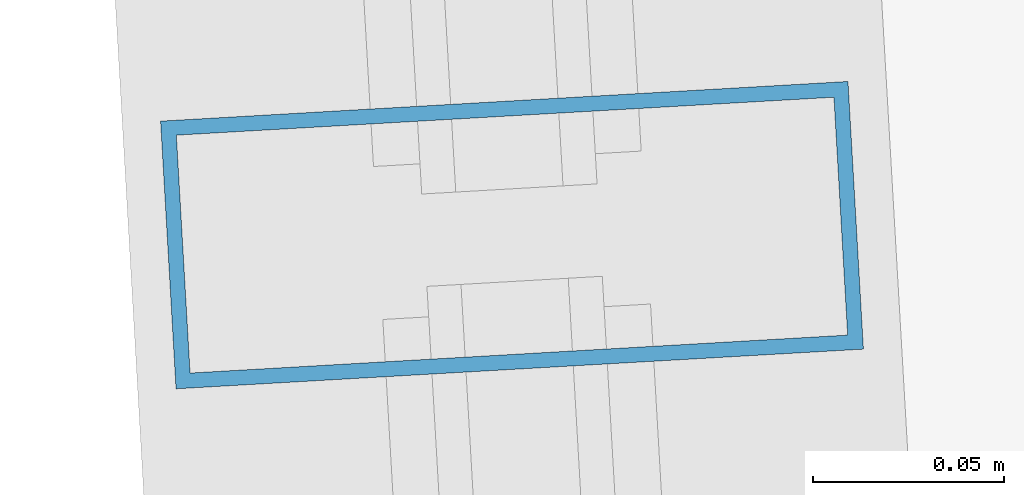
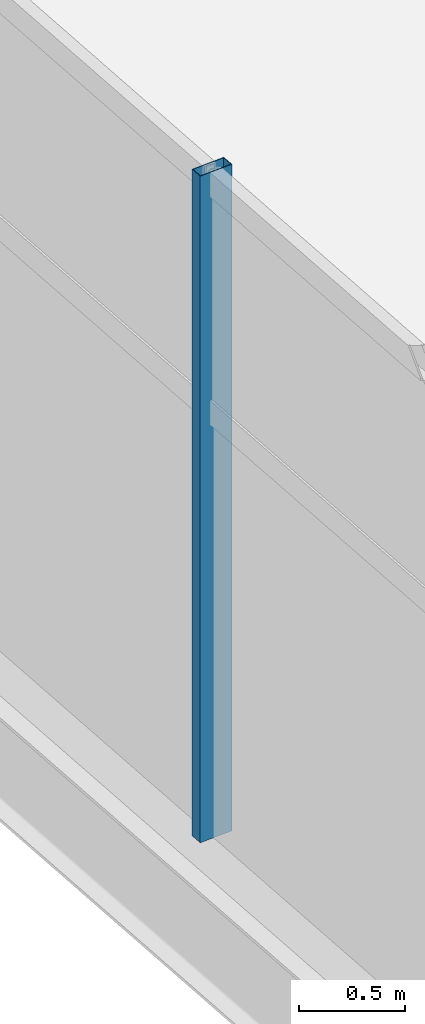
# One storey, part 27 of 156: 1 member, 1 element without a shape of its own.
"""IFC4 building model written with IfcOpenShell, lengths in metres."""

from ifc_helpers import new_model, si_unit, direction, frame, origin, origin_2d, place, context, subcontext, project, spatial, hollow_rectangle, extrude, material, layer, layer_set, material_profile, profile_set, type_object, element, aggregate, save


model = new_model("IFC4")

# Units and contexts
model_context = context("Model", 3, precision=1e-05, world=origin(), true_north=direction((0.0, 1.0)))
body_context = subcontext(model_context, "Body", "Model", "MODEL_VIEW")
ifc_project = project(units=[si_unit("LENGTHUNIT", "METRE"), si_unit("AREAUNIT", "SQUARE_METRE"), si_unit("VOLUMEUNIT", "CUBIC_METRE"), si_unit("PLANEANGLEUNIT", "RADIAN"), si_unit("MASSUNIT", "GRAM", prefix="KILO")], contexts=[model_context])

# Site, building, storey
site_placement = place(None, origin())
site = spatial("IfcSite", under=ifc_project, at=site_placement, CompositionType="ELEMENT")
building_placement = place(site_placement, origin())
building = spatial("IfcBuilding", under=site, at=building_placement, Name="Kazemori Nagisa Stadium", CompositionType="ELEMENT")
storey_placement = place(building_placement, frame((0.0, 0.0, 5.780029296875)))
storey = spatial("IfcBuildingStorey", under=building, at=storey_placement, Name="L01", CompositionType="ELEMENT", Elevation=5.780029296875)

# Curtain wall, member
ifc_material_1 = material(Name="Anodised aluminium 6063-T5", Category="aluminium")
ifc_layer = layer(ifc_material_1, 0.179931640625, Name="Anodised aluminium 6063-T5", Category="aluminium")
ifc_layer_set = layer_set([ifc_layer], Name="Anodised aluminium 6063-T5")
curtain_wall_type = type_object("IfcCurtainWallType", Name="CW_L01R3_93", PredefinedType="USERDEFINED", material=ifc_layer_set)
curtain_wall_placement = place(storey_placement, origin())
curtain_wall = element("IfcCurtainWall", 1, at=curtain_wall_placement, inside=storey, type_object=curtain_wall_type, Name="Unitised curtain wall CW-L01R3-93 L01", ObjectType="UNITISED CURTAIN WALL", PredefinedType="USERDEFINED")
ifc_material_2 = material(Name="Aluminium 6063-T5 anodised", Category="aluminium")
ifc_material_profile = material_profile(ifc_material_2, hollow_rectangle(XDim=0.070068359375, YDim=0.179931640625, WallThickness=0.00390625, at=origin_2d()), Name="ALU-MULL-70x180x4")
ifc_profile_set = profile_set([ifc_material_profile], Name="Aluminium 6063-T5 anodised")
member_type = type_object("IfcMemberType", Name="Mullion_M01", PredefinedType="MULLION", material=ifc_profile_set)
member_placement = place(storey_placement, frame((22.737548828125, 89.21630859375, 0.0), z_axis=(0.0, 0.0, 1.0), x_axis=(0.057601670941, -0.998339645364, 0.0)))
member = element("IfcMember", 2, at=member_placement, type_object=member_type, Name="Curtain wall mullion CW-L01R3-93-M3", PredefinedType="MULLION", context=body_context, shape_type="SweptSolid", body=[
    extrude(hollow_rectangle(XDim=0.070068359375, YDim=0.179931640625, WallThickness=0.00390625, at=origin_2d()), origin(), (0.0, 0.0, 1.0), 3.849853515625),
])
aggregate(curtain_wall, [member])

save(model, "model.ifc")
